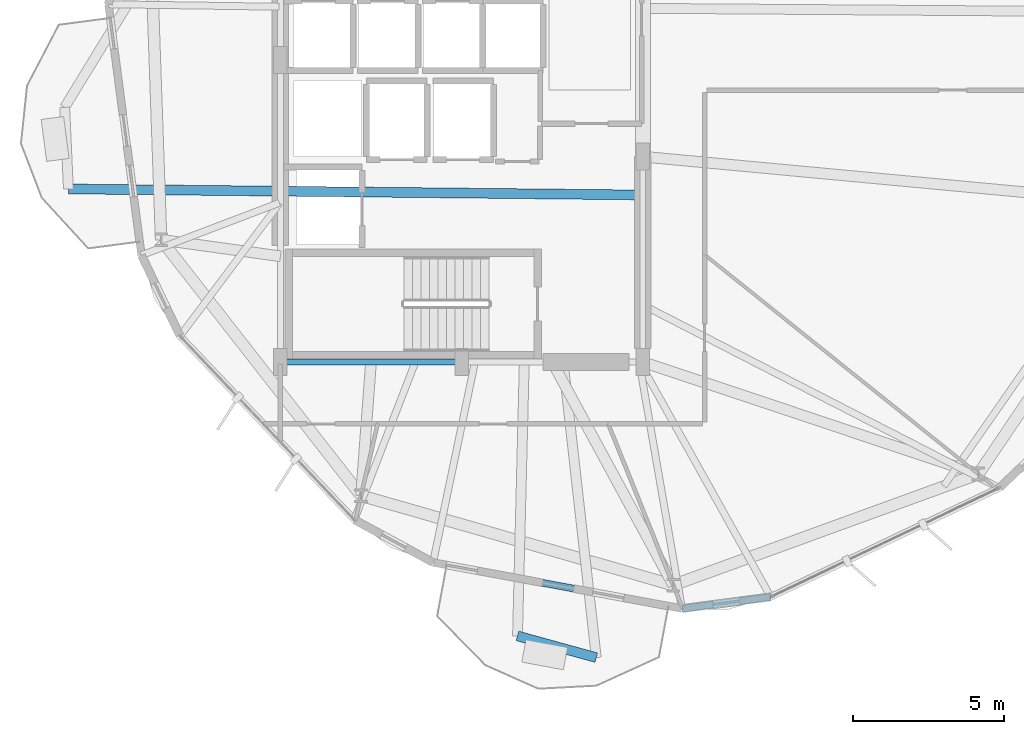
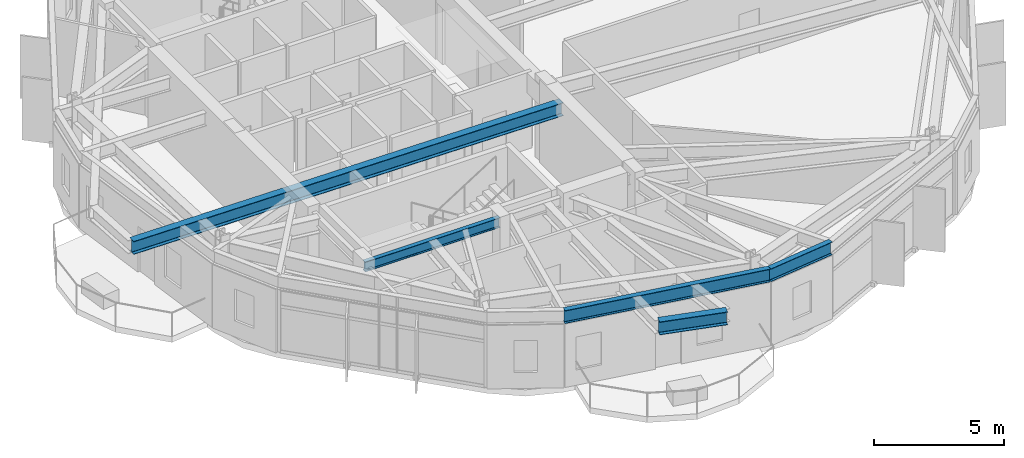
# One storey, part 4 of 25: 5 beams.
"""IFC4 building model written with IfcOpenShell, lengths in metres."""

from ifc_helpers import new_model, si_unit, direction, frame, origin, origin_2d, place, context, subcontext, project, spatial, i_section, extrude, material, material_profile, profile_set, type_object, element, save


model = new_model("IFC4")

# Units and contexts
model_context = context("Model", 3, precision=1e-05, world=origin(), true_north=direction((0.0, 1.0)))
body_context = subcontext(model_context, "Body", "Model", "MODEL_VIEW")
ifc_project = project(units=[si_unit("LENGTHUNIT", "METRE"), si_unit("AREAUNIT", "SQUARE_METRE"), si_unit("VOLUMEUNIT", "CUBIC_METRE"), si_unit("PLANEANGLEUNIT", "RADIAN"), si_unit("MASSUNIT", "GRAM", prefix="KILO")], contexts=[model_context])

# Site, building, storey
site_placement = place(None, origin())
site = spatial("IfcSite", under=ifc_project, at=site_placement, CompositionType="ELEMENT")
building_placement = place(site_placement, origin())
building = spatial("IfcBuilding", under=site, at=building_placement, Name="Soratama Intermodal Tower", CompositionType="ELEMENT")
storey_placement = place(building_placement, frame((0.0, 0.0, 126.39990234375)))
storey = spatial("IfcBuildingStorey", under=building, at=storey_placement, Name="L30", CompositionType="ELEMENT", Elevation=126.39990234375)

# Beams
ifc_material_1 = material(Name="Structural steel ASTM A992 Grade 50", Category="steel")
ifc_material_profile_1 = material_profile(ifc_material_1, i_section(OverallWidth=0.324951171875, OverallDepth=0.615966796875, WebThickness=0.013916015625, FlangeThickness=0.021484375, FilletRadius=0.013916015625, at=origin_2d()), Name="W24X117")
ifc_profile_set_1 = profile_set([ifc_material_profile_1], Name="Structural steel ASTM A992 Grade 50")
beam_type_1 = type_object("IfcBeamType", Name="BM-CANT-W24X117", PredefinedType="BEAM", material=ifc_profile_set_1)
beam_1_placement = place(storey_placement, frame((40.450927734375, 5.928955078125, 3.2919921875), z_axis=(0.964065148347, -0.26566593636, 0.0), x_axis=(0.26566593636, 0.964065148347, 0.0)))
element("IfcBeam", 1, at=beam_1_placement, inside=storey, type_object=beam_type_1, Name="BM-L30-CBHDR-3", PredefinedType="BEAM", context=body_context, shape_type="SweptSolid", body=[
    extrude(i_section(OverallWidth=0.324951171875, OverallDepth=0.615966796875, WebThickness=0.013916015625, FlangeThickness=0.021484375, FilletRadius=0.013916015625, at=origin_2d()), origin(), (0.0, 0.0, 1.0), 2.706298828125),
])
beam_2_placement = place(storey_placement, frame((44.56005859375, 20.531005859375, 3.2919921875), z_axis=(-0.99994505941, 0.010482278489, 0.0), x_axis=(-0.010482278489, -0.99994505941, 0.0)))
element("IfcBeam", 2, at=beam_2_placement, inside=storey, type_object=beam_type_1, Name="BM-L30-CANT-2-2", PredefinedType="BEAM", context=body_context, shape_type="SweptSolid", body=[
    extrude(i_section(OverallWidth=0.324951171875, OverallDepth=0.615966796875, WebThickness=0.013916015625, FlangeThickness=0.021484375, FilletRadius=0.013916015625, at=origin_2d()), origin(), (0.0, 0.0, 1.0), 18.98193359375),
])
ifc_material_2 = material(Name="Structural steel ASTM A992 Grade 50", Category="steel")
ifc_material_profile_2 = material_profile(ifc_material_2, i_section(OverallWidth=0.19091796875, OverallDepth=0.4599609375, WebThickness=0.010009765625, FlangeThickness=0.01611328125, FilletRadius=0.010986328125, at=origin_2d()), Name="W18X55")
ifc_profile_set_2 = profile_set([ifc_material_profile_2], Name="Structural steel ASTM A992 Grade 50")
beam_type_2 = type_object("IfcBeamType", Name="BM-FLR-W18X55", PredefinedType="BEAM", material=ifc_profile_set_2)
beam_3_placement = place(storey_placement, frame((32.60009765625, 15.0, 3.3701171875), z_axis=(1.0, 0.0, 0.0), x_axis=(0.0, 1.0, 0.0)))
element("IfcBeam", 3, at=beam_3_placement, inside=storey, type_object=beam_type_2, Name="BM-L30-CRING-01", PredefinedType="BEAM", context=body_context, shape_type="SweptSolid", body=[
    extrude(i_section(OverallWidth=0.19091796875, OverallDepth=0.4599609375, WebThickness=0.010009765625, FlangeThickness=0.01611328125, FilletRadius=0.010986328125, at=origin_2d()), origin(), (0.0, 0.0, 1.0), 6.0),
])
ifc_material_3 = material(Name="Structural steel ASTM A992 Grade 50", Category="steel")
ifc_material_profile_3 = material_profile(ifc_material_3, i_section(OverallWidth=0.22900390625, OverallDepth=0.612060546875, WebThickness=0.011962890625, FlangeThickness=0.01953125, FilletRadius=0.012939453125, at=origin_2d()), Name="W24X84")
ifc_profile_set_3 = profile_set([ifc_material_profile_3], Name="Structural steel ASTM A992 Grade 50")
beam_type_3 = type_object("IfcBeamType", Name="BM-SPN-W24X84", PredefinedType="SPANDREL", material=ifc_profile_set_3)
beam_4_placement = place(storey_placement, frame((37.653076171875, 8.35888671875, 3.294189453125), z_axis=(0.98327369971, -0.182134102953, 0.0), x_axis=(0.182134102953, 0.98327369971, 0.0)))
element("IfcBeam", 4, at=beam_4_placement, inside=storey, type_object=beam_type_3, Name="BS-L30-F07", PredefinedType="SPANDREL", context=body_context, shape_type="SweptSolid", body=[
    extrude(i_section(OverallWidth=0.22900390625, OverallDepth=0.612060546875, WebThickness=0.011962890625, FlangeThickness=0.01953125, FilletRadius=0.012939453125, at=origin_2d()), origin(), (0.0, 0.0, 1.0), 8.383056640625),
])
beam_5_placement = place(storey_placement, frame((45.89599609375, 6.83203125, 3.294189453125), z_axis=(0.991454295543, 0.130454512571, 0.0), x_axis=(-0.130454512571, 0.991454295543, 0.0)))
element("IfcBeam", 5, at=beam_5_placement, inside=storey, type_object=beam_type_3, Name="BS-L30-CRN07", PredefinedType="SPANDREL", context=body_context, shape_type="SweptSolid", body=[
    extrude(i_section(OverallWidth=0.22900390625, OverallDepth=0.612060546875, WebThickness=0.011962890625, FlangeThickness=0.01953125, FilletRadius=0.012939453125, at=origin_2d()), origin(), (0.0, 0.0, 1.0), 2.96630859375),
])

save(model, "model.ifc")
